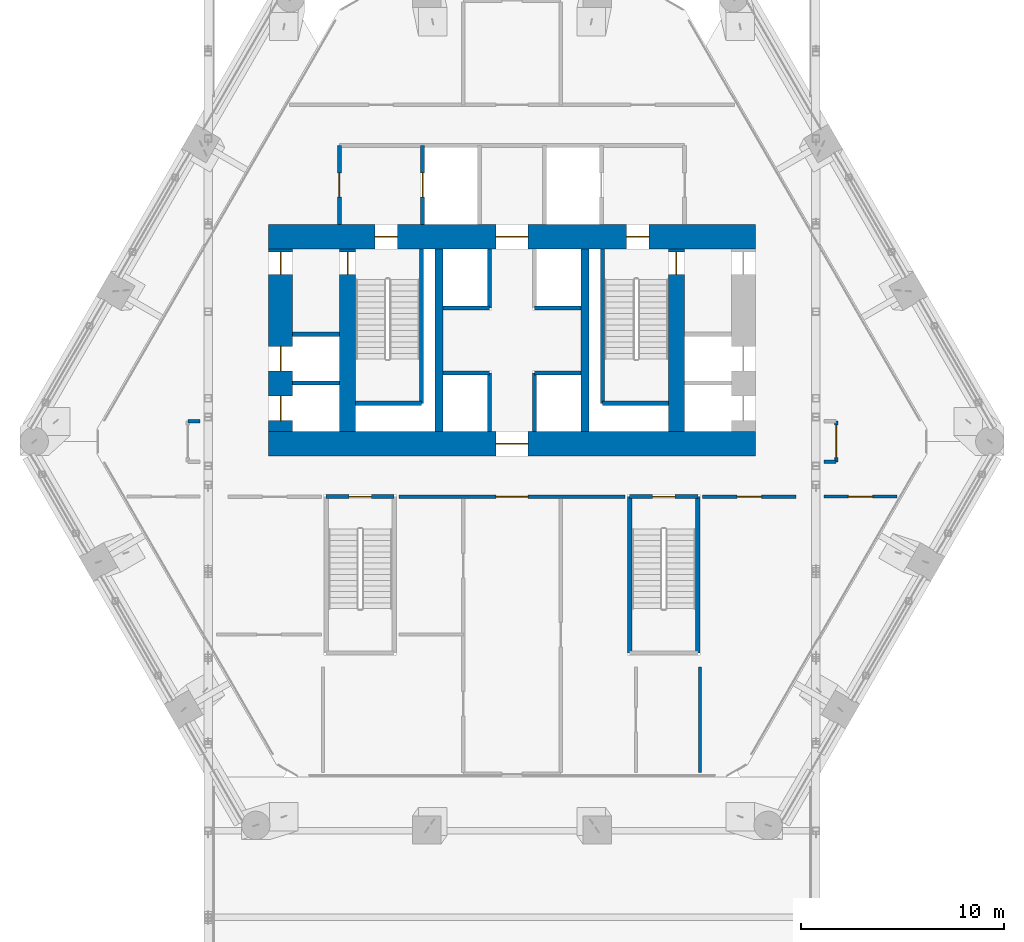
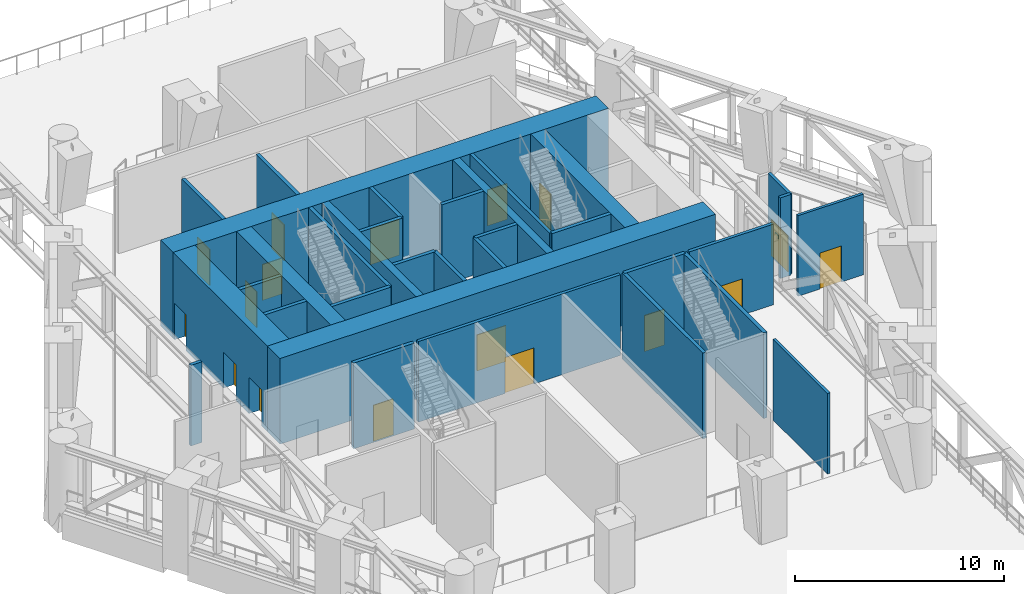
# One storey, part 9 of 20: 33 walls, 17 doors, 17 openings.
"""IFC4 building model written with IfcOpenShell, lengths in metres."""

from ifc_helpers import new_model, si_unit, direction, frame, frame_2d, origin, place, context, subcontext, project, spatial, rectangle, extrude, material, layer, layer_set, type_object, element, fill, save


model = new_model("IFC4")

# Units and contexts
model_context = context("Model", 3, precision=1e-05, world=origin(), true_north=direction((0.0, 1.0)))
body_context = subcontext(model_context, "Body", "Model", "MODEL_VIEW")
ifc_project = project(units=[si_unit("LENGTHUNIT", "METRE"), si_unit("AREAUNIT", "SQUARE_METRE"), si_unit("VOLUMEUNIT", "CUBIC_METRE"), si_unit("PLANEANGLEUNIT", "RADIAN"), si_unit("MASSUNIT", "GRAM", prefix="KILO")], contexts=[model_context])

# Site, building, storey
site_placement = place(None, origin())
site = spatial("IfcSite", under=ifc_project, at=site_placement, CompositionType="ELEMENT")
building_placement = place(site_placement, origin())
building = spatial("IfcBuilding", under=site, at=building_placement, Name="Ostrander Bayou Hotel Tower", CompositionType="ELEMENT")
storey_placement = place(building_placement, frame((0.0, 0.0, 80.5)))
storey = spatial("IfcBuildingStorey", under=building, at=storey_placement, Name="L20", CompositionType="ELEMENT", Elevation=80.5)

# Wall, opening, door
ifc_material_1 = material(Name="Concrete f'c 70 MPa", Category="concrete")
ifc_layer_1 = layer(ifc_material_1, 1.199951171875)
ifc_layer_set_1 = layer_set([ifc_layer_1], Name="CW1 core wall 1200 mm f'c 70 MPa")
wall_type_1 = type_object("IfcWallType", Name="CW1 core wall 1200 mm f'c 70 MPa", PredefinedType="SHEAR", material=ifc_layer_set_1)
wall_1_placement = place(storey_placement, frame((-12.0, -1.10009765625, -0.300048828125), z_axis=(0.0, 0.0, 1.0), x_axis=(1.0, 0.0, 0.0)))
wall_1 = element("IfcWall", 1, at=wall_1_placement, inside=storey, type_object=wall_type_1, Name="CW1 L20 S", PredefinedType="SHEAR", context=body_context, shape_type="SweptSolid", body=[
    extrude(rectangle(XDim=24.0, YDim=1.199951171875, at=frame_2d((12.0, 0.0))), origin(), (0.0, 0.0, 1.0), 5.0),
])
opening_1_placement = place(wall_1_placement, frame((11.199951171875, 0.0, 0.0)))
opening_1 = element("IfcOpeningElement", 2, at=opening_1_placement, cuts=wall_1, Name="Opening T20-001", PredefinedType="OPENING", context=body_context, shape_type="SweptSolid", body=[
    extrude(rectangle(XDim=1.60009765625, YDim=2.10009765625, at=frame_2d((0.800048828125, 1.050048828125))), frame((0.0, 0.60009765625, 0.0), z_axis=(0.0, -1.0, 0.0), x_axis=(1.0, 0.0, 0.0)), (0.0, 0.0, 1.0), 1.199951171875),
])
ifc_material_2 = material(Name="Timber door leaf", Category="wood")
door_type_1 = type_object("IfcDoorType", Name="D13 double door 1600 x 2100 mm, 1 hour", OperationType="SINGLE_SWING_LEFT", PredefinedType="DOOR", material=ifc_material_2)
door_1_placement = place(opening_1_placement, origin())
door_1 = element("IfcDoor", 3, at=door_1_placement, inside=storey, type_object=door_type_1, Name="dr:L20:001", OperationType="DOUBLE_DOOR_SINGLE_SWING", OverallHeight=2.10009765625, OverallWidth=1.60009765625, PredefinedType="DOOR", context=body_context, shape_type="SweptSolid", body=[
    extrude(rectangle(XDim=1.60009765625, YDim=2.10009765625, at=frame_2d((0.800048828125, 1.050048828125))), frame((0.0, 0.02490234375, 0.0), z_axis=(0.0, -1.0, 0.0), x_axis=(1.0, 0.0, 0.0)), (0.0, 0.0, 1.0), 0.050048828125),
])
fill(opening_1, door_1)

# Wall, openings, doors
wall_2_placement = place(storey_placement, frame((-12.0, 9.10009765625, -0.300048828125), z_axis=(0.0, 0.0, 1.0), x_axis=(1.0, 0.0, 0.0)))
wall_2 = element("IfcWall", 4, at=wall_2_placement, inside=storey, type_object=wall_type_1, Name="CW1 L20 N", PredefinedType="SHEAR", context=body_context, shape_type="SweptSolid", body=[
    extrude(rectangle(XDim=24.0, YDim=1.199951171875, at=frame_2d((12.0, 0.0))), origin(), (0.0, 0.0, 1.0), 5.0),
])
opening_2_placement = place(wall_2_placement, frame((11.199951171875, 0.0, 0.0)))
opening_2 = element("IfcOpeningElement", 5, at=opening_2_placement, cuts=wall_2, Name="Opening T20-002", PredefinedType="OPENING", context=body_context, shape_type="SweptSolid", body=[
    extrude(rectangle(XDim=1.60009765625, YDim=2.10009765625, at=frame_2d((0.800048828125, 1.050048828125))), frame((0.0, 0.60009765625, 0.0), z_axis=(0.0, -1.0, 0.0), x_axis=(1.0, 0.0, 0.0)), (0.0, 0.0, 1.0), 1.199951171875),
])
opening_3_placement = place(wall_2_placement, frame((5.25, 0.0, 0.0)))
opening_3 = element("IfcOpeningElement", 6, at=opening_3_placement, cuts=wall_2, Name="Opening T20-003", PredefinedType="OPENING", context=body_context, shape_type="SweptSolid", body=[
    extrude(rectangle(XDim=1.10009765625, YDim=2.10009765625, at=frame_2d((0.550048828125, 1.050048828125))), frame((0.0, 0.60009765625, 0.0), z_axis=(0.0, -1.0, 0.0), x_axis=(1.0, 0.0, 0.0)), (0.0, 0.0, 1.0), 1.199951171875),
])
opening_4_placement = place(wall_2_placement, frame((17.64990234375, 0.0, 0.0)))
opening_4 = element("IfcOpeningElement", 7, at=opening_4_placement, cuts=wall_2, Name="Opening T20-005", PredefinedType="OPENING", context=body_context, shape_type="SweptSolid", body=[
    extrude(rectangle(XDim=1.10009765625, YDim=2.10009765625, at=frame_2d((0.550048828125, 1.050048828125))), frame((0.0, 0.60009765625, 0.0), z_axis=(0.0, -1.0, 0.0), x_axis=(1.0, 0.0, 0.0)), (0.0, 0.0, 1.0), 1.199951171875),
])
door_2_placement = place(opening_2_placement, origin())
door_2 = element("IfcDoor", 8, at=door_2_placement, inside=storey, type_object=door_type_1, Name="dr:L20:002", OperationType="DOUBLE_DOOR_SINGLE_SWING", OverallHeight=2.10009765625, OverallWidth=1.60009765625, PredefinedType="DOOR", context=body_context, shape_type="SweptSolid", body=[
    extrude(rectangle(XDim=1.60009765625, YDim=2.10009765625, at=frame_2d((0.800048828125, 1.050048828125))), frame((0.0, 0.02490234375, 0.0), z_axis=(0.0, -1.0, 0.0), x_axis=(1.0, 0.0, 0.0)), (0.0, 0.0, 1.0), 0.050048828125),
])
fill(opening_2, door_2)
ifc_material_3 = material(Name="Timber door leaf", Category="wood")
door_type_2 = type_object("IfcDoorType", Name="D5 stair door 1100 x 2100 mm, 90 minute", OperationType="SINGLE_SWING_LEFT", PredefinedType="DOOR", material=ifc_material_3)
door_3_placement = place(opening_3_placement, origin())
door_3 = element("IfcDoor", 9, at=door_3_placement, inside=storey, type_object=door_type_2, Name="dr:L20:003", OperationType="SINGLE_SWING_LEFT", OverallHeight=2.10009765625, OverallWidth=1.10009765625, PredefinedType="DOOR", context=body_context, shape_type="SweptSolid", body=[
    extrude(rectangle(XDim=1.10009765625, YDim=2.10009765625, at=frame_2d((0.550048828125, 1.050048828125))), frame((0.0, 0.02490234375, 0.0), z_axis=(0.0, -1.0, 0.0), x_axis=(1.0, 0.0, 0.0)), (0.0, 0.0, 1.0), 0.050048828125),
])
fill(opening_3, door_3)
door_4_placement = place(opening_4_placement, origin())
door_4 = element("IfcDoor", 10, at=door_4_placement, inside=storey, type_object=door_type_2, Name="dr:L20:005", OperationType="SINGLE_SWING_RIGHT", OverallHeight=2.10009765625, OverallWidth=1.10009765625, PredefinedType="DOOR", context=body_context, shape_type="SweptSolid", body=[
    extrude(rectangle(XDim=1.10009765625, YDim=2.10009765625, at=frame_2d((0.550048828125, 1.050048828125))), frame((0.0, 0.02490234375, 0.0), z_axis=(0.0, -1.0, 0.0), x_axis=(1.0, 0.0, 0.0)), (0.0, 0.0, 1.0), 0.050048828125),
])
fill(opening_4, door_4)

wall_3_placement = place(storey_placement, frame((-11.39990234375, -0.5, -0.300048828125), z_axis=(0.0, 0.0, 1.0), x_axis=(0.0, 1.0, 0.0)))
wall_3 = element("IfcWall", 11, at=wall_3_placement, inside=storey, type_object=wall_type_1, Name="CW1 L20 RW", PredefinedType="SHEAR", context=body_context, shape_type="SweptSolid", body=[
    extrude(rectangle(XDim=9.0, YDim=1.199951171875, at=frame_2d((4.5, 0.0))), origin(), (0.0, 0.0, 1.0), 5.0),
])
opening_5_placement = place(wall_3_placement, frame((7.75, 0.0, 0.0)))
opening_5 = element("IfcOpeningElement", 12, at=opening_5_placement, cuts=wall_3, Name="Opening T20-013", PredefinedType="OPENING", context=body_context, shape_type="SweptSolid", body=[
    extrude(rectangle(XDim=1.10009765625, YDim=2.10009765625, at=frame_2d((0.550048828125, 1.050048828125))), frame((0.0, 0.60009765625, 0.0), z_axis=(0.0, -1.0, 0.0), x_axis=(1.0, 0.0, 0.0)), (0.0, 0.0, 1.0), 1.199951171875),
])
opening_6_placement = place(wall_3_placement, frame((0.550048828125, 0.0, 0.0)))
opening_6 = element("IfcOpeningElement", 13, at=opening_6_placement, cuts=wall_3, Name="Opening T20-014", PredefinedType="OPENING", context=body_context, shape_type="SweptSolid", body=[
    extrude(rectangle(XDim=1.199951171875, YDim=2.10009765625, at=frame_2d((0.60009765625, 1.050048828125))), frame((0.0, 0.60009765625, 0.0), z_axis=(0.0, -1.0, 0.0), x_axis=(1.0, 0.0, 0.0)), (0.0, 0.0, 1.0), 1.199951171875),
])
opening_7_placement = place(wall_3_placement, frame((3.0, 0.0, 0.0)))
opening_7 = element("IfcOpeningElement", 14, at=opening_7_placement, cuts=wall_3, Name="Opening T20-015", PredefinedType="OPENING", context=body_context, shape_type="SweptSolid", body=[
    extrude(rectangle(XDim=1.199951171875, YDim=2.10009765625, at=frame_2d((0.60009765625, 1.050048828125))), frame((0.0, 0.60009765625, 0.0), z_axis=(0.0, -1.0, 0.0), x_axis=(1.0, 0.0, 0.0)), (0.0, 0.0, 1.0), 1.199951171875),
])
door_5_placement = place(opening_5_placement, origin())
door_5 = element("IfcDoor", 15, at=door_5_placement, inside=storey, type_object=door_type_2, Name="dr:L20:013", OperationType="SINGLE_SWING_LEFT", OverallHeight=2.10009765625, OverallWidth=1.10009765625, PredefinedType="DOOR", context=body_context, shape_type="SweptSolid", body=[
    extrude(rectangle(XDim=1.10009765625, YDim=2.10009765625, at=frame_2d((0.550048828125, 1.050048828125))), frame((0.0, 0.02490234375, 0.0), z_axis=(0.0, -1.0, 0.0), x_axis=(1.0, 0.0, 0.0)), (0.0, 0.0, 1.0), 0.050048828125),
])
fill(opening_5, door_5)
ifc_material_4 = material(Name="Stainless steel sliding door", Category="steel")
door_type_3 = type_object("IfcDoorType", Name="LD1 lift landing door 1200 x 2100 mm", OperationType="SINGLE_SWING_LEFT", PredefinedType="DOOR", material=ifc_material_4)
door_6_placement = place(opening_6_placement, origin())
door_6 = element("IfcDoor", 16, at=door_6_placement, inside=storey, type_object=door_type_3, Name="dr:L20:014", OperationType="SLIDING_TO_LEFT", OverallHeight=2.10009765625, OverallWidth=1.199951171875, PredefinedType="DOOR", context=body_context, shape_type="SweptSolid", body=[
    extrude(rectangle(XDim=1.199951171875, YDim=2.10009765625, at=frame_2d((0.60009765625, 1.050048828125))), frame((0.0, 0.02490234375, 0.0), z_axis=(0.0, -1.0, 0.0), x_axis=(1.0, 0.0, 0.0)), (0.0, 0.0, 1.0), 0.050048828125),
])
fill(opening_6, door_6)
door_7_placement = place(opening_7_placement, origin())
door_7 = element("IfcDoor", 17, at=door_7_placement, inside=storey, type_object=door_type_3, Name="dr:L20:015", OperationType="SLIDING_TO_LEFT", OverallHeight=2.10009765625, OverallWidth=1.199951171875, PredefinedType="DOOR", context=body_context, shape_type="SweptSolid", body=[
    extrude(rectangle(XDim=1.199951171875, YDim=2.10009765625, at=frame_2d((0.60009765625, 1.050048828125))), frame((0.0, 0.02490234375, 0.0), z_axis=(0.0, -1.0, 0.0), x_axis=(1.0, 0.0, 0.0)), (0.0, 0.0, 1.0), 0.050048828125),
])
fill(opening_7, door_7)

# Wall, opening, door
ifc_material_5 = material(Name="Concrete f'c 70 MPa", Category="concrete")
ifc_layer_2 = layer(ifc_material_5, 0.800048828125)
ifc_layer_set_2 = layer_set([ifc_layer_2], Name="CW2 core spine wall 800 mm f'c 70 MPa")
wall_type_2 = type_object("IfcWallType", Name="CW2 core spine wall 800 mm f'c 70 MPa", PredefinedType="SHEAR", material=ifc_layer_set_2)
wall_4_placement = place(storey_placement, frame((-8.10009765625, -0.5, -0.300048828125), z_axis=(0.0, 0.0, 1.0), x_axis=(0.0, 1.0, 0.0)))
wall_4 = element("IfcWall", 18, at=wall_4_placement, inside=storey, type_object=wall_type_2, Name="CW2 L20 W", PredefinedType="SHEAR", context=body_context, shape_type="SweptSolid", body=[
    extrude(rectangle(XDim=9.0, YDim=0.800048828125, at=frame_2d((4.5, 0.0))), origin(), (0.0, 0.0, 1.0), 5.0),
])
opening_8_placement = place(wall_4_placement, frame((7.75, 0.0, 0.0)))
opening_8 = element("IfcOpeningElement", 19, at=opening_8_placement, cuts=wall_4, Name="Opening T20-004", PredefinedType="OPENING", context=body_context, shape_type="SweptSolid", body=[
    extrude(rectangle(XDim=1.10009765625, YDim=2.10009765625, at=frame_2d((0.550048828125, 1.050048828125))), frame((0.0, 0.39990234375, 0.0), z_axis=(0.0, -1.0, 0.0), x_axis=(1.0, 0.0, 0.0)), (0.0, 0.0, 1.0), 0.800048828125),
])
door_8_placement = place(opening_8_placement, origin())
door_8 = element("IfcDoor", 20, at=door_8_placement, inside=storey, type_object=door_type_2, Name="dr:L20:004", OperationType="SINGLE_SWING_RIGHT", OverallHeight=2.10009765625, OverallWidth=1.10009765625, PredefinedType="DOOR", context=body_context, shape_type="SweptSolid", body=[
    extrude(rectangle(XDim=1.10009765625, YDim=2.10009765625, at=frame_2d((0.550048828125, 1.050048828125))), frame((0.0, 0.02490234375, 0.0), z_axis=(0.0, -1.0, 0.0), x_axis=(1.0, 0.0, 0.0)), (0.0, 0.0, 1.0), 0.050048828125),
])
fill(opening_8, door_8)

wall_5_placement = place(storey_placement, frame((8.10009765625, -0.5, -0.300048828125), z_axis=(0.0, 0.0, 1.0), x_axis=(0.0, 1.0, 0.0)))
wall_5 = element("IfcWall", 21, at=wall_5_placement, inside=storey, type_object=wall_type_2, Name="CW2 L20 E", PredefinedType="SHEAR", context=body_context, shape_type="SweptSolid", body=[
    extrude(rectangle(XDim=9.0, YDim=0.800048828125, at=frame_2d((4.5, 0.0))), origin(), (0.0, 0.0, 1.0), 5.0),
])
opening_9_placement = place(wall_5_placement, frame((7.75, 0.0, 0.0)))
opening_9 = element("IfcOpeningElement", 22, at=opening_9_placement, cuts=wall_5, Name="Opening T20-006", PredefinedType="OPENING", context=body_context, shape_type="SweptSolid", body=[
    extrude(rectangle(XDim=1.10009765625, YDim=2.10009765625, at=frame_2d((0.550048828125, 1.050048828125))), frame((0.0, 0.39990234375, 0.0), z_axis=(0.0, -1.0, 0.0), x_axis=(1.0, 0.0, 0.0)), (0.0, 0.0, 1.0), 0.800048828125),
])
door_9_placement = place(opening_9_placement, origin())
door_9 = element("IfcDoor", 23, at=door_9_placement, inside=storey, type_object=door_type_2, Name="dr:L20:006", OperationType="SINGLE_SWING_LEFT", OverallHeight=2.10009765625, OverallWidth=1.10009765625, PredefinedType="DOOR", context=body_context, shape_type="SweptSolid", body=[
    extrude(rectangle(XDim=1.10009765625, YDim=2.10009765625, at=frame_2d((0.550048828125, 1.050048828125))), frame((0.0, 0.02490234375, 0.0), z_axis=(0.0, -1.0, 0.0), x_axis=(1.0, 0.0, 0.0)), (0.0, 0.0, 1.0), 0.050048828125),
])
fill(opening_9, door_9)

# Walls
ifc_material_6 = material(Name="Concrete f'c 70 MPa", Category="concrete")
ifc_layer_3 = layer(ifc_material_6, 0.39990234375)
ifc_layer_set_3 = layer_set([ifc_layer_3], Name="CW3 core bank wall 400 mm f'c 70 MPa")
wall_type_3 = type_object("IfcWallType", Name="CW3 core bank wall 400 mm f'c 70 MPa", PredefinedType="SHEAR", material=ifc_layer_set_3)
for number, where, z_axis, x_axis, name in (
    (24, (-3.60009765625, -0.5, -0.300048828125), (0.0, 0.0, 1.0), (0.0, 1.0, 0.0), "CW3 L20 CW"),
    (25, (3.60009765625, -0.5, -0.300048828125), (0.0, 0.0, 1.0), (0.0, 1.0, 0.0), "CW3 L20 CE"),
):
    element("IfcWall", number, at=place(storey_placement, frame(where, z_axis=z_axis, x_axis=x_axis)), inside=storey, type_object=wall_type_3, Name=name, PredefinedType="SHEAR", context=body_context, shape_type="SweptSolid", body=[
        extrude(rectangle(XDim=9.0, YDim=0.39990234375, at=frame_2d((4.5, 0.0))), origin(), (0.0, 0.0, 1.0), 5.0),
    ])

# Wall, opening, door
ifc_material_7 = material(Name="Gypsum board partition", Category="finish")
ifc_layer_4 = layer(ifc_material_7, 0.175048828125)
ifc_layer_set_4 = layer_set([ifc_layer_4], Name="PT4 corridor wall 175 mm, 1 hour")
wall_type_4 = type_object("IfcWallType", Name="PT4 corridor wall 175 mm, 1 hour", PredefinedType="PARTITIONING", material=ifc_layer_set_4)
wall_6_placement = place(storey_placement, frame((-5.570068359375, -3.699951171875, 0.0), z_axis=(0.0, 0.0, 1.0), x_axis=(1.0, 0.0, 0.0)))
wall_6 = element("IfcWall", 26, at=wall_6_placement, inside=storey, type_object=wall_type_4, Name="sw:L20:002", PredefinedType="PARTITIONING", context=body_context, shape_type="SweptSolid", body=[
    extrude(rectangle(XDim=11.14013671875, YDim=0.175048828125, at=frame_2d((5.570068359375, 0.0))), origin(), (0.0, 0.0, 1.0), 4.699951171875),
])
opening_10_placement = place(wall_6_placement, frame((4.77001953125, 0.0, 0.0)))
opening_10 = element("IfcOpeningElement", 27, at=opening_10_placement, cuts=wall_6, Name="Opening T20-200", PredefinedType="OPENING", context=body_context, shape_type="SweptSolid", body=[
    extrude(rectangle(XDim=1.60009765625, YDim=2.10009765625, at=frame_2d((0.800048828125, 1.050048828125))), frame((0.0, 0.08740234375, 0.0), z_axis=(0.0, -1.0, 0.0), x_axis=(1.0, 0.0, 0.0)), (0.0, 0.0, 1.0), 0.175048828125),
])
door_10_placement = place(opening_10_placement, origin())
door_10 = element("IfcDoor", 28, at=door_10_placement, inside=storey, type_object=door_type_1, Name="dr:L20:200", OperationType="DOUBLE_DOOR_SINGLE_SWING", OverallHeight=2.10009765625, OverallWidth=1.60009765625, PredefinedType="DOOR", context=body_context, shape_type="SweptSolid", body=[
    extrude(rectangle(XDim=1.60009765625, YDim=2.10009765625, at=frame_2d((0.800048828125, 1.050048828125))), frame((0.0, 0.02490234375, 0.0), z_axis=(0.0, -1.0, 0.0), x_axis=(1.0, 0.0, 0.0)), (0.0, 0.0, 1.0), 0.050048828125),
])
fill(opening_10, door_10)

wall_7_placement = place(storey_placement, frame((9.3798828125, -3.699951171875, 0.0), z_axis=(0.0, 0.0, 1.0), x_axis=(1.0, 0.0, 0.0)))
wall_7 = element("IfcWall", 29, at=wall_7_placement, inside=storey, type_object=wall_type_4, Name="sw:L20:003", PredefinedType="PARTITIONING", context=body_context, shape_type="SweptSolid", body=[
    extrude(rectangle(XDim=4.6201171875, YDim=0.175048828125, at=frame_2d((2.31005859375, 0.0))), origin(), (0.0, 0.0, 1.0), 4.699951171875),
])
opening_11_placement = place(wall_7_placement, frame((1.7099609375, 0.0, 0.0)))
opening_11 = element("IfcOpeningElement", 30, at=opening_11_placement, cuts=wall_7, Name="Opening T20-212", PredefinedType="OPENING", context=body_context, shape_type="SweptSolid", body=[
    extrude(rectangle(XDim=1.199951171875, YDim=2.10009765625, at=frame_2d((0.60009765625, 1.050048828125))), frame((0.0, 0.08740234375, 0.0), z_axis=(0.0, -1.0, 0.0), x_axis=(1.0, 0.0, 0.0)), (0.0, 0.0, 1.0), 0.175048828125),
])
ifc_material_8 = material(Name="Timber door leaf", Category="wood")
door_type_4 = type_object("IfcDoorType", Name="D10 plant room door 1200 x 2100 mm, 1 hour", OperationType="SINGLE_SWING_LEFT", PredefinedType="DOOR", material=ifc_material_8)
door_11_placement = place(opening_11_placement, origin())
door_11 = element("IfcDoor", 31, at=door_11_placement, inside=storey, type_object=door_type_4, Name="dr:L20:212", OperationType="SINGLE_SWING_RIGHT", OverallHeight=2.10009765625, OverallWidth=1.199951171875, PredefinedType="DOOR", context=body_context, shape_type="SweptSolid", body=[
    extrude(rectangle(XDim=1.199951171875, YDim=2.10009765625, at=frame_2d((0.60009765625, 1.050048828125))), frame((0.0, 0.02490234375, 0.0), z_axis=(0.0, -1.0, 0.0), x_axis=(1.0, 0.0, 0.0)), (0.0, 0.0, 1.0), 0.050048828125),
])
fill(opening_11, door_11)

# Walls
for number, where, z_axis, x_axis, name in (
    (32, (15.364990234375, -1.98193359375, 0.0), (0.0, 0.0, 1.0), (1.0, 0.0, 0.0), "sw:L20:005"),
    (33, (-15.965087890625, 0.01806640625, 0.0), (0.0, 0.0, 1.0), (1.0, 0.0, 0.0), "sw:L20:006"),
):
    element("IfcWall", number, at=place(storey_placement, frame(where, z_axis=z_axis, x_axis=x_axis)), inside=storey, type_object=wall_type_4, Name=name, PredefinedType="PARTITIONING", context=body_context, shape_type="SweptSolid", body=[
        extrude(rectangle(XDim=0.60009765625, YDim=0.175048828125, at=frame_2d((0.300048828125, 0.0))), origin(), (0.0, 0.0, 1.0), 4.699951171875),
    ])

# Wall, opening, door
wall_8_placement = place(storey_placement, frame((15.965087890625, -1.98193359375, 0.0), z_axis=(0.0, 0.0, 1.0), x_axis=(0.0, 1.0, 0.0)))
wall_8 = element("IfcWall", 34, at=wall_8_placement, inside=storey, type_object=wall_type_4, Name="sw:L20:014", PredefinedType="PARTITIONING", context=body_context, shape_type="SweptSolid", body=[
    extrude(rectangle(XDim=2.0, YDim=0.175048828125, at=frame_2d((1.0, 0.0))), origin(), (0.0, 0.0, 1.0), 4.699951171875),
])
opening_12_placement = place(wall_8_placement, frame((0.199951171875, 0.0, 0.0)))
opening_12 = element("IfcOpeningElement", 35, at=opening_12_placement, cuts=wall_8, Name="Opening T20-203", PredefinedType="OPENING", context=body_context, shape_type="SweptSolid", body=[
    extrude(rectangle(XDim=1.60009765625, YDim=2.10009765625, at=frame_2d((0.800048828125, 1.050048828125))), frame((0.0, 0.08740234375, 0.0), z_axis=(0.0, -1.0, 0.0), x_axis=(1.0, 0.0, 0.0)), (0.0, 0.0, 1.0), 0.175048828125),
])
door_12_placement = place(opening_12_placement, origin())
door_12 = element("IfcDoor", 36, at=door_12_placement, inside=storey, type_object=door_type_1, Name="dr:L20:203", OperationType="DOUBLE_DOOR_SINGLE_SWING", OverallHeight=2.10009765625, OverallWidth=1.60009765625, PredefinedType="DOOR", context=body_context, shape_type="SweptSolid", body=[
    extrude(rectangle(XDim=1.60009765625, YDim=2.10009765625, at=frame_2d((0.800048828125, 1.050048828125))), frame((0.0, 0.02490234375, 0.0), z_axis=(0.0, -1.0, 0.0), x_axis=(1.0, 0.0, 0.0)), (0.0, 0.0, 1.0), 0.050048828125),
])
fill(opening_12, door_12)

ifc_material_9 = material(Name="Masonry block", Category="masonry")
ifc_layer_5 = layer(ifc_material_9, 0.199951171875)
ifc_layer_set_5 = layer_set([ifc_layer_5], Name="PT5 stair enclosure wall 200 mm masonry, 2 hour")
wall_type_5 = type_object("IfcWallType", Name="PT5 stair enclosure wall 200 mm masonry, 2 hour", PredefinedType="PARTITIONING", material=ifc_layer_set_5)
wall_9_placement = place(storey_placement, frame((-8.5, 9.699951171875, 0.0), z_axis=(0.0, 0.0, 1.0), x_axis=(0.0, 1.0, 0.0)))
wall_9 = element("IfcWall", 37, at=wall_9_placement, inside=storey, type_object=wall_type_5, Name="cs:L20:022", PredefinedType="PARTITIONING", context=body_context, shape_type="SweptSolid", body=[
    extrude(rectangle(XDim=3.900146484375, YDim=0.199951171875, at=frame_2d((1.9501953125, 0.0))), origin(), (0.0, 0.0, 1.0), 4.699951171875),
])
opening_13_placement = place(wall_9_placement, frame((1.35009765625, 0.0, 0.0)))
opening_13 = element("IfcOpeningElement", 38, at=opening_13_placement, cuts=wall_9, Name="Opening T20-010", PredefinedType="OPENING", context=body_context, shape_type="SweptSolid", body=[
    extrude(rectangle(XDim=1.199951171875, YDim=2.10009765625, at=frame_2d((0.60009765625, 1.050048828125))), frame((0.0, 0.10009765625, 0.0), z_axis=(0.0, -1.0, 0.0), x_axis=(1.0, 0.0, 0.0)), (0.0, 0.0, 1.0), 0.199951171875),
])
ifc_material_10 = material(Name="Timber door leaf", Category="wood")
door_type_5 = type_object("IfcDoorType", Name="D7 lobby door 1200 x 2100 mm, 1 hour", OperationType="SINGLE_SWING_LEFT", PredefinedType="DOOR", material=ifc_material_10)
door_13_placement = place(opening_13_placement, origin())
door_13 = element("IfcDoor", 39, at=door_13_placement, inside=storey, type_object=door_type_5, Name="dr:L20:010", OperationType="SINGLE_SWING_LEFT", OverallHeight=2.10009765625, OverallWidth=1.199951171875, PredefinedType="DOOR", context=body_context, shape_type="SweptSolid", body=[
    extrude(rectangle(XDim=1.199951171875, YDim=2.10009765625, at=frame_2d((0.60009765625, 1.050048828125))), frame((0.0, 0.02490234375, 0.0), z_axis=(0.0, -1.0, 0.0), x_axis=(1.0, 0.0, 0.0)), (0.0, 0.0, 1.0), 0.050048828125),
])
fill(opening_13, door_13)

wall_10_placement = place(storey_placement, frame((-4.39990234375, 9.699951171875, 0.0), z_axis=(0.0, 0.0, 1.0), x_axis=(0.0, 1.0, 0.0)))
wall_10 = element("IfcWall", 40, at=wall_10_placement, inside=storey, type_object=wall_type_5, Name="cs:L20:024", PredefinedType="PARTITIONING", context=body_context, shape_type="SweptSolid", body=[
    extrude(rectangle(XDim=3.900146484375, YDim=0.199951171875, at=frame_2d((1.9501953125, 0.0))), origin(), (0.0, 0.0, 1.0), 4.699951171875),
])
opening_14_placement = place(wall_10_placement, frame((1.35009765625, 0.0, 0.0)))
opening_14 = element("IfcOpeningElement", 41, at=opening_14_placement, cuts=wall_10, Name="Opening T20-009", PredefinedType="OPENING", context=body_context, shape_type="SweptSolid", body=[
    extrude(rectangle(XDim=1.199951171875, YDim=2.10009765625, at=frame_2d((0.60009765625, 1.050048828125))), frame((0.0, 0.10009765625, 0.0), z_axis=(0.0, -1.0, 0.0), x_axis=(1.0, 0.0, 0.0)), (0.0, 0.0, 1.0), 0.199951171875),
])
door_14_placement = place(opening_14_placement, origin())
door_14 = element("IfcDoor", 42, at=door_14_placement, inside=storey, type_object=door_type_3, Name="dr:L20:009", OperationType="SLIDING_TO_LEFT", OverallHeight=2.10009765625, OverallWidth=1.199951171875, PredefinedType="DOOR", context=body_context, shape_type="SweptSolid", body=[
    extrude(rectangle(XDim=1.199951171875, YDim=2.10009765625, at=frame_2d((0.60009765625, 1.050048828125))), frame((0.0, 0.02490234375, 0.0), z_axis=(0.0, -1.0, 0.0), x_axis=(1.0, 0.0, 0.0)), (0.0, 0.0, 1.0), 0.050048828125),
])
fill(opening_14, door_14)

# Walls
ifc_material_11 = material(Name="Masonry block", Category="masonry")
ifc_layer_6 = layer(ifc_material_11, 0.199951171875)
ifc_layer_set_6 = layer_set([ifc_layer_6], Name="PT6 lift shaft wall 200 mm masonry, 2 hour")
wall_type_6 = type_object("IfcWallType", Name="PT6 lift shaft wall 200 mm masonry, 2 hour", PredefinedType="PARTITIONING", material=ifc_layer_set_6)
for number, where, z_axis, x_axis, name in (
    (43, (-3.39990234375, 2.39990234375, 0.0), (0.0, 0.0, 1.0), (1.0, 0.0, 0.0), "cs:L20:001"),
    (44, (-3.39990234375, 5.60009765625, 0.0), (0.0, 0.0, 1.0), (1.0, 0.0, 0.0), "cs:L20:002"),
    (45, (1.10009765625, 2.39990234375, 0.0), (0.0, 0.0, 1.0), (1.0, 0.0, 0.0), "cs:L20:003"),
    (46, (1.10009765625, 5.60009765625, 0.0), (0.0, 0.0, 1.0), (1.0, 0.0, 0.0), "cs:L20:004"),
):
    element("IfcWall", number, at=place(storey_placement, frame(where, z_axis=z_axis, x_axis=x_axis)), inside=storey, type_object=wall_type_6, Name=name, PredefinedType="PARTITIONING", context=body_context, shape_type="SweptSolid", body=[
        extrude(rectangle(XDim=2.2998046875, YDim=0.199951171875, at=frame_2d((1.14990234375, 0.0))), origin(), (0.0, 0.0, 1.0), 4.699951171875),
    ])
for number, where, z_axis, x_axis, name in (
    (47, (-1.10009765625, -0.5, 0.0), (0.0, 0.0, 1.0), (0.0, 1.0, 0.0), "cs:L20:005"),
    (48, (1.10009765625, -0.5, 0.0), (0.0, 0.0, 1.0), (0.0, 1.0, 0.0), "cs:L20:006"),
    (49, (-1.10009765625, 5.60009765625, 0.0), (0.0, 0.0, 1.0), (0.0, 1.0, 0.0), "cs:L20:007"),
):
    element("IfcWall", number, at=place(storey_placement, frame(where, z_axis=z_axis, x_axis=x_axis)), inside=storey, type_object=wall_type_6, Name=name, PredefinedType="PARTITIONING", context=body_context, shape_type="SweptSolid", body=[
        extrude(rectangle(XDim=2.89990234375, YDim=0.199951171875, at=frame_2d((1.449951171875, 0.0))), origin(), (0.0, 0.0, 1.0), 4.699951171875),
    ])
for number, where, z_axis, x_axis, name in (
    (50, (-10.800048828125, 1.89990234375, 0.0), (0.0, 0.0, 1.0), (1.0, 0.0, 0.0), "cs:L20:028"),
    (51, (-10.800048828125, 4.300048828125, 0.0), (0.0, 0.0, 1.0), (1.0, 0.0, 0.0), "cs:L20:029"),
):
    element("IfcWall", number, at=place(storey_placement, frame(where, z_axis=z_axis, x_axis=x_axis)), inside=storey, type_object=wall_type_6, Name=name, PredefinedType="PARTITIONING", context=body_context, shape_type="SweptSolid", body=[
        extrude(rectangle(XDim=2.300048828125, YDim=0.199951171875, at=frame_2d((1.14990234375, 0.0))), origin(), (0.0, 0.0, 1.0), 4.699951171875),
    ])

# Wall, opening, door
ifc_material_12 = material(Name="Gypsum board partition", Category="finish")
ifc_layer_7 = layer(ifc_material_12, 0.14990234375)
ifc_layer_set_7 = layer_set([ifc_layer_7], Name="PT7 riser wall 150 mm, 2 hour")
wall_type_7 = type_object("IfcWallType", Name="PT7 riser wall 150 mm, 2 hour", PredefinedType="PARTITIONING", material=ifc_layer_set_7)
wall_11_placement = place(storey_placement, frame((15.364990234375, -3.699951171875, 0.0), z_axis=(0.0, 0.0, 1.0), x_axis=(1.0, 0.0, 0.0)))
wall_11 = element("IfcWall", 52, at=wall_11_placement, inside=storey, type_object=wall_type_7, Name="sw:L20:018", PredefinedType="PARTITIONING", context=body_context, shape_type="SweptSolid", body=[
    extrude(rectangle(XDim=3.59521484375, YDim=0.14990234375, at=frame_2d((1.797607421875, 0.0))), origin(), (0.0, 0.0, 1.0), 4.699951171875),
])
opening_15_placement = place(wall_11_placement, frame((1.197509765625, 0.0, 0.0)))
opening_15 = element("IfcOpeningElement", 53, at=opening_15_placement, cuts=wall_11, Name="Opening T20-205", PredefinedType="OPENING", context=body_context, shape_type="SweptSolid", body=[
    extrude(rectangle(XDim=1.199951171875, YDim=2.10009765625, at=frame_2d((0.60009765625, 1.050048828125))), frame((0.0, 0.074951171875, 0.0), z_axis=(0.0, -1.0, 0.0), x_axis=(1.0, 0.0, 0.0)), (0.0, 0.0, 1.0), 0.14990234375),
])
door_15_placement = place(opening_15_placement, origin())
door_15 = element("IfcDoor", 54, at=door_15_placement, inside=storey, type_object=door_type_4, Name="dr:L20:205", OperationType="SINGLE_SWING_LEFT", OverallHeight=2.10009765625, OverallWidth=1.199951171875, PredefinedType="DOOR", context=body_context, shape_type="SweptSolid", body=[
    extrude(rectangle(XDim=1.199951171875, YDim=2.10009765625, at=frame_2d((0.60009765625, 1.050048828125))), frame((0.0, 0.02490234375, 0.0), z_axis=(0.0, -1.0, 0.0), x_axis=(1.0, 0.0, 0.0)), (0.0, 0.0, 1.0), 0.050048828125),
])
fill(opening_15, door_15)

# Walls
wall_12_placement = place(storey_placement, frame((9.25, -17.2880859375, 0.0), z_axis=(0.0, 0.0, 1.0), x_axis=(0.0, 1.0, 0.0)))
element("IfcWall", 55, at=wall_12_placement, inside=storey, type_object=wall_type_7, Name="sw:L20:021", PredefinedType="PARTITIONING", context=body_context, shape_type="SweptSolid", body=[
    extrude(rectangle(XDim=5.2080078125, YDim=0.14990234375, at=frame_2d((2.60400390625, 0.0))), origin(), (0.0, 0.0, 1.0), 4.699951171875),
])
ifc_material_13 = material(Name="Concrete f'c 45 MPa", Category="concrete")
ifc_layer_8 = layer(ifc_material_13, 0.199951171875)
ifc_layer_set_8 = layer_set([ifc_layer_8], Name="SW5 stair enclosure wall 200 mm f'c 45 MPa")
wall_type_8 = type_object("IfcWallType", Name="SW5 stair enclosure wall 200 mm f'c 45 MPa", PredefinedType="SOLIDWALL", material=ifc_layer_set_8)
wall_13_placement = place(storey_placement, frame((-4.449951171875, 0.89990234375, -0.300048828125), z_axis=(0.0, 0.0, 1.0), x_axis=(0.0, 1.0, 0.0)))
element("IfcWall", 56, at=wall_13_placement, inside=storey, type_object=wall_type_8, Name="cs:L20:009", PredefinedType="SOLIDWALL", context=body_context, shape_type="SweptSolid", body=[
    extrude(rectangle(XDim=7.60009765625, YDim=0.199951171875, at=frame_2d((3.800048828125, 0.0))), origin(), (0.0, 0.0, 1.0), 5.0),
])
wall_14_placement = place(storey_placement, frame((-7.699951171875, 0.89990234375, -0.300048828125), z_axis=(0.0, 0.0, 1.0), x_axis=(1.0, 0.0, 0.0)))
element("IfcWall", 57, at=wall_14_placement, inside=storey, type_object=wall_type_8, Name="cs:L20:010", PredefinedType="SOLIDWALL", context=body_context, shape_type="SweptSolid", body=[
    extrude(rectangle(XDim=3.25, YDim=0.199951171875, at=frame_2d((1.625, 0.0))), origin(), (0.0, 0.0, 1.0), 5.0),
])
wall_15_placement = place(storey_placement, frame((4.449951171875, 0.89990234375, -0.300048828125), z_axis=(0.0, 0.0, 1.0), x_axis=(0.0, 1.0, 0.0)))
element("IfcWall", 58, at=wall_15_placement, inside=storey, type_object=wall_type_8, Name="cs:L20:011", PredefinedType="SOLIDWALL", context=body_context, shape_type="SweptSolid", body=[
    extrude(rectangle(XDim=7.60009765625, YDim=0.199951171875, at=frame_2d((3.800048828125, 0.0))), origin(), (0.0, 0.0, 1.0), 5.0),
])
wall_16_placement = place(storey_placement, frame((4.449951171875, 0.89990234375, -0.300048828125), z_axis=(0.0, 0.0, 1.0), x_axis=(1.0, 0.0, 0.0)))
element("IfcWall", 59, at=wall_16_placement, inside=storey, type_object=wall_type_8, Name="cs:L20:012", PredefinedType="SOLIDWALL", context=body_context, shape_type="SweptSolid", body=[
    extrude(rectangle(XDim=3.25, YDim=0.199951171875, at=frame_2d((1.625, 0.0))), origin(), (0.0, 0.0, 1.0), 5.0),
])

# Wall, opening, door
wall_17_placement = place(storey_placement, frame((5.800048828125, -3.699951171875, -0.300048828125), z_axis=(0.0, 0.0, 1.0), x_axis=(1.0, 0.0, 0.0)))
wall_17 = element("IfcWall", 60, at=wall_17_placement, inside=storey, type_object=wall_type_8, Name="cs:L20:013", PredefinedType="SOLIDWALL", context=body_context, shape_type="SweptSolid", body=[
    extrude(rectangle(XDim=3.349853515625, YDim=0.199951171875, at=frame_2d((1.6748046875, 0.0))), origin(), (0.0, 0.0, 1.0), 5.0),
])
opening_16_placement = place(wall_17_placement, frame((1.125, 0.0, 0.0)))
opening_16 = element("IfcOpeningElement", 61, at=opening_16_placement, cuts=wall_17, Name="Opening T20-007", PredefinedType="OPENING", context=body_context, shape_type="SweptSolid", body=[
    extrude(rectangle(XDim=1.10009765625, YDim=2.10009765625, at=frame_2d((0.550048828125, 1.050048828125))), frame((0.0, 0.10009765625, 0.0), z_axis=(0.0, -1.0, 0.0), x_axis=(1.0, 0.0, 0.0)), (0.0, 0.0, 1.0), 0.199951171875),
])
door_16_placement = place(opening_16_placement, origin())
door_16 = element("IfcDoor", 62, at=door_16_placement, inside=storey, type_object=door_type_2, Name="dr:L20:007", OperationType="SINGLE_SWING_LEFT", OverallHeight=2.10009765625, OverallWidth=1.10009765625, PredefinedType="DOOR", context=body_context, shape_type="SweptSolid", body=[
    extrude(rectangle(XDim=1.10009765625, YDim=2.10009765625, at=frame_2d((0.550048828125, 1.050048828125))), frame((0.0, 0.02490234375, 0.0), z_axis=(0.0, -1.0, 0.0), x_axis=(1.0, 0.0, 0.0)), (0.0, 0.0, 1.0), 0.050048828125),
])
fill(opening_16, door_16)

# Walls
for number, where, z_axis, x_axis, name in (
    (63, (5.800048828125, -3.699951171875, -0.300048828125), (0.0, 0.0, 1.0), (0.0, -1.0, 0.0), "cs:L20:014"),
    (64, (9.14990234375, -3.699951171875, -0.300048828125), (0.0, 0.0, 1.0), (0.0, -1.0, 0.0), "cs:L20:015"),
):
    element("IfcWall", number, at=place(storey_placement, frame(where, z_axis=z_axis, x_axis=x_axis)), inside=storey, type_object=wall_type_8, Name=name, PredefinedType="SOLIDWALL", context=body_context, shape_type="SweptSolid", body=[
        extrude(rectangle(XDim=7.699951171875, YDim=0.199951171875, at=frame_2d((3.85009765625, 0.0))), origin(), (0.0, 0.0, 1.0), 5.0),
    ])

# Wall, opening, door
wall_18_placement = place(storey_placement, frame((-9.14990234375, -3.699951171875, -0.300048828125), z_axis=(0.0, 0.0, 1.0), x_axis=(1.0, 0.0, 0.0)))
wall_18 = element("IfcWall", 65, at=wall_18_placement, inside=storey, type_object=wall_type_8, Name="cs:L20:017", PredefinedType="SOLIDWALL", context=body_context, shape_type="SweptSolid", body=[
    extrude(rectangle(XDim=3.349853515625, YDim=0.199951171875, at=frame_2d((1.6748046875, 0.0))), origin(), (0.0, 0.0, 1.0), 5.0),
])
opening_17_placement = place(wall_18_placement, frame((1.125, 0.0, 0.0)))
opening_17 = element("IfcOpeningElement", 66, at=opening_17_placement, cuts=wall_18, Name="Opening T20-008", PredefinedType="OPENING", context=body_context, shape_type="SweptSolid", body=[
    extrude(rectangle(XDim=1.10009765625, YDim=2.10009765625, at=frame_2d((0.550048828125, 1.050048828125))), frame((0.0, 0.10009765625, 0.0), z_axis=(0.0, -1.0, 0.0), x_axis=(1.0, 0.0, 0.0)), (0.0, 0.0, 1.0), 0.199951171875),
])
door_17_placement = place(opening_17_placement, origin())
door_17 = element("IfcDoor", 67, at=door_17_placement, inside=storey, type_object=door_type_2, Name="dr:L20:008", OperationType="SINGLE_SWING_LEFT", OverallHeight=2.10009765625, OverallWidth=1.10009765625, PredefinedType="DOOR", context=body_context, shape_type="SweptSolid", body=[
    extrude(rectangle(XDim=1.10009765625, YDim=2.10009765625, at=frame_2d((0.550048828125, 1.050048828125))), frame((0.0, 0.02490234375, 0.0), z_axis=(0.0, -1.0, 0.0), x_axis=(1.0, 0.0, 0.0)), (0.0, 0.0, 1.0), 0.050048828125),
])
fill(opening_17, door_17)

save(model, "model.ifc")
